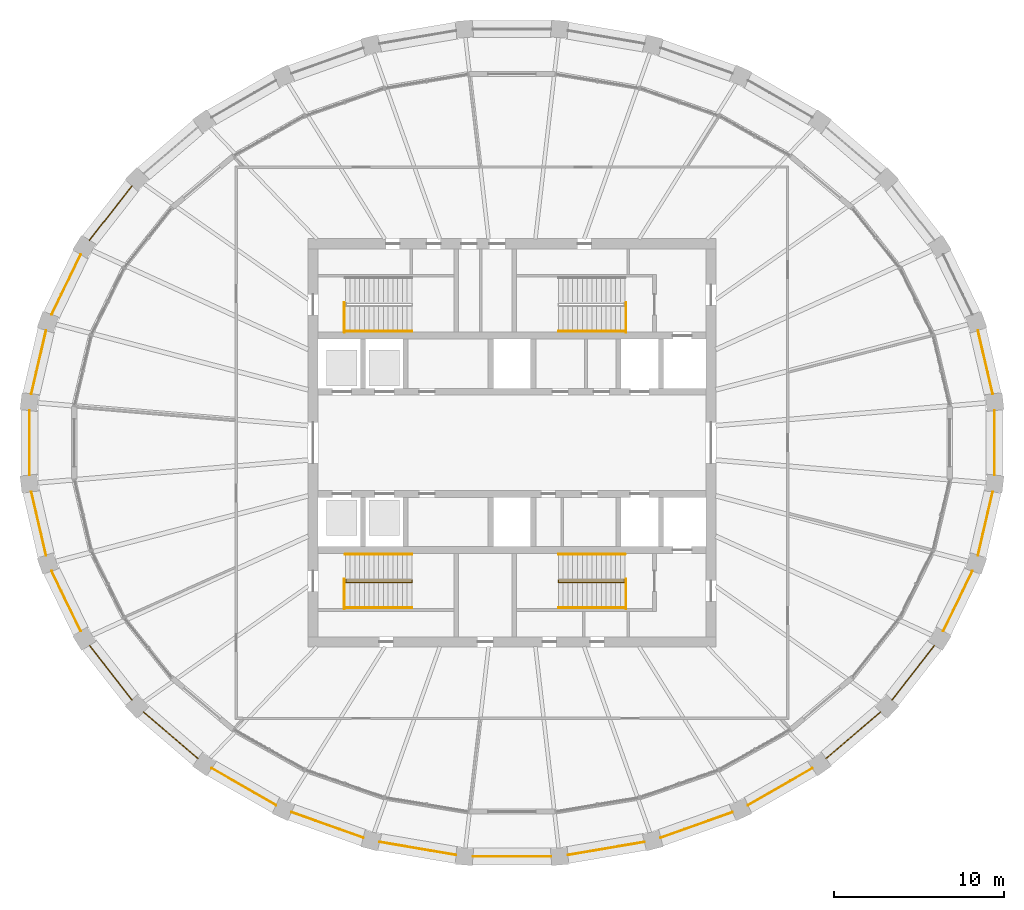
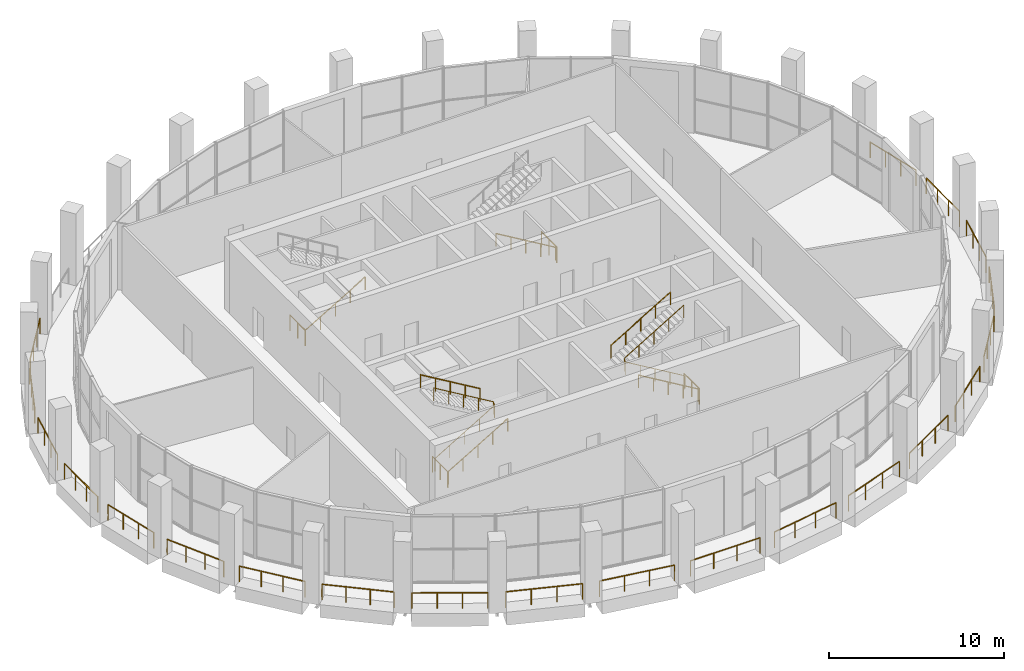
# One storey, part 14 of 16: 33 railings.
"""IFC4 building model written with IfcOpenShell, lengths in metres."""

from ifc_helpers import new_model, si_unit, direction, frame, origin, origin_2d, place, context, subcontext, project, spatial, circle, extrude, material, type_object, element, save


model = new_model("IFC4")

# Units and contexts
model_context = context("Model", 3, precision=1e-05, world=origin(), true_north=direction((0.0, 1.0)))
body_context = subcontext(model_context, "Body", "Model", "MODEL_VIEW")
ifc_project = project(units=[si_unit("LENGTHUNIT", "METRE"), si_unit("AREAUNIT", "SQUARE_METRE"), si_unit("VOLUMEUNIT", "CUBIC_METRE"), si_unit("PLANEANGLEUNIT", "RADIAN"), si_unit("MASSUNIT", "GRAM", prefix="KILO")], contexts=[model_context])

# Site, building, storey
site_placement = place(None, origin())
site = spatial("IfcSite", under=ifc_project, at=site_placement, CompositionType="ELEMENT")
building_placement = place(site_placement, origin())
building = spatial("IfcBuilding", under=site, at=building_placement, Name="Halqa Exchange Tower", CompositionType="ELEMENT")
storey_placement = place(building_placement, frame((0.0, 0.0, 333.300048828125)))
storey = spatial("IfcBuildingStorey", under=building, at=storey_placement, Name="L78", CompositionType="ELEMENT", Elevation=333.300048828125)

# Railings
ifc_material = material(Name="Stainless steel", Category="steel")
railing_type_1 = type_object("IfcRailingType", Name="Guard 1100 stainless steel", PredefinedType="GUARDRAIL", material=ifc_material)
railing_1_placement = place(storey_placement, frame((28.249755859375, 2.881591796875, 0.0)))
element("IfcRailing", 1, at=railing_1_placement, inside=storey, type_object=railing_type_1, Name="Loggia guard 1", PredefinedType="GUARDRAIL", context=body_context, shape_type="SweptSolid", body=[
    extrude(circle(Radius=0.02392578125, at=origin_2d()), frame((0.0, 0.0, 1.076171875), z_axis=(-0.226100478953, 0.97410398491, 0.0), x_axis=(-0.97410398491, -0.226100478953, 0.0)), (0.0, 0.0, 1.0), 3.8212890625),
    extrude(circle(Radius=0.02099609375, at=origin_2d()), origin(), (0.0, 0.0, 1.0), 1.052001953125),
    extrude(circle(Radius=0.02099609375, at=origin_2d()), frame((-0.2880859375, 1.24072265625, 0.0)), (0.0, 0.0, 1.0), 1.052001953125),
    extrude(circle(Radius=0.02099609375, at=origin_2d()), frame((-0.575927734375, 2.481689453125, 0.0)), (0.0, 0.0, 1.0), 1.052001953125),
    extrude(circle(Radius=0.02099609375, at=origin_2d()), frame((-0.864013671875, 3.722412109375, 0.0)), (0.0, 0.0, 1.0), 1.052001953125),
])
railing_2_placement = place(storey_placement, frame((-22.338134765625, 15.10302734375, 0.0)))
element("IfcRailing", 2, at=railing_2_placement, inside=storey, type_object=railing_type_1, Name="Loggia guard 13", PredefinedType="GUARDRAIL", context=body_context, shape_type="SweptSolid", body=[
    extrude(circle(Radius=0.02392578125, at=origin_2d()), frame((0.0, 0.0, 1.076171875), z_axis=(-0.614821078368, -0.788666622594, 0.0), x_axis=(0.788666622594, -0.614821078368, 0.0)), (0.0, 0.0, 1.0), 4.048828125),
    extrude(circle(Radius=0.02099609375, at=origin_2d()), origin(), (0.0, 0.0, 1.0), 1.052001953125),
    extrude(circle(Radius=0.02099609375, at=origin_2d()), frame((-0.829833984375, -1.064453125, 0.0)), (0.0, 0.0, 1.0), 1.052001953125),
    extrude(circle(Radius=0.02099609375, at=origin_2d()), frame((-1.659423828125, -2.128662109375, 0.0)), (0.0, 0.0, 1.0), 1.052001953125),
    extrude(circle(Radius=0.02099609375, at=origin_2d()), frame((-2.4892578125, -3.193115234375, 0.0)), (0.0, 0.0, 1.0), 1.052001953125),
])
railing_3_placement = place(storey_placement, frame((-25.352294921875, 11.0654296875, 0.0)))
element("IfcRailing", 3, at=railing_3_placement, inside=storey, type_object=railing_type_1, Name="Loggia guard 14", PredefinedType="GUARDRAIL", context=body_context, shape_type="SweptSolid", body=[
    extrude(circle(Radius=0.02392578125, at=origin_2d()), frame((0.0, 0.0, 1.076171875), z_axis=(-0.435146748862, -0.900359543158, 0.0), x_axis=(0.900359543158, -0.435146748862, 0.0)), (0.0, 0.0, 1.0), 3.913818359375),
    extrude(circle(Radius=0.02099609375, at=origin_2d()), origin(), (0.0, 0.0, 1.0), 1.052001953125),
    extrude(circle(Radius=0.02099609375, at=origin_2d()), frame((-0.567626953125, -1.174560546875, 0.0)), (0.0, 0.0, 1.0), 1.052001953125),
    extrude(circle(Radius=0.02099609375, at=origin_2d()), frame((-1.135498046875, -2.349365234375, 0.0)), (0.0, 0.0, 1.0), 1.052001953125),
    extrude(circle(Radius=0.02099609375, at=origin_2d()), frame((-1.703125, -3.52392578125, 0.0)), (0.0, 0.0, 1.0), 1.052001953125),
])
railing_4_placement = place(storey_placement, frame((-27.3857421875, 6.60400390625, 0.0)))
element("IfcRailing", 4, at=railing_4_placement, inside=storey, type_object=railing_type_1, Name="Loggia guard 15", PredefinedType="GUARDRAIL", context=body_context, shape_type="SweptSolid", body=[
    extrude(circle(Radius=0.02392578125, at=origin_2d()), frame((0.0, 0.0, 1.076171875), z_axis=(-0.226100478953, -0.97410398491, 0.0), x_axis=(0.97410398491, -0.226100478953, 0.0)), (0.0, 0.0, 1.0), 3.8212890625),
    extrude(circle(Radius=0.02099609375, at=origin_2d()), origin(), (0.0, 0.0, 1.0), 1.052001953125),
    extrude(circle(Radius=0.02099609375, at=origin_2d()), frame((-0.2880859375, -1.24072265625, 0.0)), (0.0, 0.0, 1.0), 1.052001953125),
    extrude(circle(Radius=0.02099609375, at=origin_2d()), frame((-0.575927734375, -2.481689453125, 0.0)), (0.0, 0.0, 1.0), 1.052001953125),
    extrude(circle(Radius=0.02099609375, at=origin_2d()), frame((-0.864013671875, -3.722412109375, 0.0)), (0.0, 0.0, 1.0), 1.052001953125),
])
railing_5_placement = place(storey_placement, frame((-28.36279296875, 1.894287109375, 0.0)))
element("IfcRailing", 5, at=railing_5_placement, inside=storey, type_object=railing_type_1, Name="Loggia guard 16", PredefinedType="GUARDRAIL", context=body_context, shape_type="SweptSolid", body=[
    extrude(circle(Radius=0.02392578125, at=origin_2d()), frame((0.0, 0.0, 1.076171875), z_axis=(0.0, -1.0, 0.0), x_axis=(1.0, 0.0, 0.0)), (0.0, 0.0, 1.0), 3.78857421875),
    extrude(circle(Radius=0.02099609375, at=origin_2d()), origin(), (0.0, 0.0, 1.0), 1.052001953125),
    extrude(circle(Radius=0.02099609375, at=origin_2d()), frame((0.0, -1.262939453125, 0.0)), (0.0, 0.0, 1.0), 1.052001953125),
    extrude(circle(Radius=0.02099609375, at=origin_2d()), frame((0.0, -2.525634765625, 0.0)), (0.0, 0.0, 1.0), 1.052001953125),
    extrude(circle(Radius=0.02099609375, at=origin_2d()), frame((0.0, -3.78857421875, 0.0)), (0.0, 0.0, 1.0), 1.052001953125),
])
railing_6_placement = place(storey_placement, frame((-28.249755859375, -2.881591796875, 0.0)))
element("IfcRailing", 6, at=railing_6_placement, inside=storey, type_object=railing_type_1, Name="Loggia guard 17", PredefinedType="GUARDRAIL", context=body_context, shape_type="SweptSolid", body=[
    extrude(circle(Radius=0.02392578125, at=origin_2d()), frame((0.0, 0.0, 1.076171875), z_axis=(0.226100478953, -0.97410398491, 0.0), x_axis=(0.97410398491, 0.226100478953, 0.0)), (0.0, 0.0, 1.0), 3.8212890625),
    extrude(circle(Radius=0.02099609375, at=origin_2d()), origin(), (0.0, 0.0, 1.0), 1.052001953125),
    extrude(circle(Radius=0.02099609375, at=origin_2d()), frame((0.2880859375, -1.24072265625, 0.0)), (0.0, 0.0, 1.0), 1.052001953125),
    extrude(circle(Radius=0.02099609375, at=origin_2d()), frame((0.575927734375, -2.481689453125, 0.0)), (0.0, 0.0, 1.0), 1.052001953125),
    extrude(circle(Radius=0.02099609375, at=origin_2d()), frame((0.864013671875, -3.722412109375, 0.0)), (0.0, 0.0, 1.0), 1.052001953125),
])
railing_7_placement = place(storey_placement, frame((-27.055419921875, -7.54150390625, 0.0)))
element("IfcRailing", 7, at=railing_7_placement, inside=storey, type_object=railing_type_1, Name="Loggia guard 18", PredefinedType="GUARDRAIL", context=body_context, shape_type="SweptSolid", body=[
    extrude(circle(Radius=0.02392578125, at=origin_2d()), frame((0.0, 0.0, 1.076171875), z_axis=(0.435146748862, -0.900359543158, 0.0), x_axis=(0.900359543158, 0.435146748862, 0.0)), (0.0, 0.0, 1.0), 3.913818359375),
    extrude(circle(Radius=0.02099609375, at=origin_2d()), origin(), (0.0, 0.0, 1.0), 1.052001953125),
    extrude(circle(Radius=0.02099609375, at=origin_2d()), frame((0.567626953125, -1.174560546875, 0.0)), (0.0, 0.0, 1.0), 1.052001953125),
    extrude(circle(Radius=0.02099609375, at=origin_2d()), frame((1.135498046875, -2.349365234375, 0.0)), (0.0, 0.0, 1.0), 1.052001953125),
    extrude(circle(Radius=0.02099609375, at=origin_2d()), frame((1.703125, -3.52392578125, 0.0)), (0.0, 0.0, 1.0), 1.052001953125),
])
railing_8_placement = place(storey_placement, frame((-24.827392578125, -11.909912109375, 0.0)))
element("IfcRailing", 8, at=railing_8_placement, inside=storey, type_object=railing_type_1, Name="Loggia guard 19", PredefinedType="GUARDRAIL", context=body_context, shape_type="SweptSolid", body=[
    extrude(circle(Radius=0.02392578125, at=origin_2d()), frame((0.0, 0.0, 1.076171875), z_axis=(0.614821078368, -0.788666622594, 0.0), x_axis=(0.788666622594, 0.614821078368, 0.0)), (0.0, 0.0, 1.0), 4.048828125),
    extrude(circle(Radius=0.02099609375, at=origin_2d()), origin(), (0.0, 0.0, 1.0), 1.052001953125),
    extrude(circle(Radius=0.02099609375, at=origin_2d()), frame((0.829833984375, -1.064453125, 0.0)), (0.0, 0.0, 1.0), 1.052001953125),
    extrude(circle(Radius=0.02099609375, at=origin_2d()), frame((1.659423828125, -2.128662109375, 0.0)), (0.0, 0.0, 1.0), 1.052001953125),
    extrude(circle(Radius=0.02099609375, at=origin_2d()), frame((2.4892578125, -3.193115234375, 0.0)), (0.0, 0.0, 1.0), 1.052001953125),
])
railing_9_placement = place(storey_placement, frame((-21.651123046875, -15.82275390625, 0.0)))
element("IfcRailing", 9, at=railing_9_placement, inside=storey, type_object=railing_type_1, Name="Loggia guard 20", PredefinedType="GUARDRAIL", context=body_context, shape_type="SweptSolid", body=[
    extrude(circle(Radius=0.02392578125, at=origin_2d()), frame((0.0, 0.0, 1.076171875), z_axis=(0.75927300229, -0.650772239723, 0.0), x_axis=(0.650772239723, 0.75927300229, 0.0)), (0.0, 0.0, 1.0), 4.203125),
    extrude(circle(Radius=0.02099609375, at=origin_2d()), origin(), (0.0, 0.0, 1.0), 1.052001953125),
    extrude(circle(Radius=0.02099609375, at=origin_2d()), frame((1.063720703125, -0.911865234375, 0.0)), (0.0, 0.0, 1.0), 1.052001953125),
    extrude(circle(Radius=0.02099609375, at=origin_2d()), frame((2.127685546875, -1.823486328125, 0.0)), (0.0, 0.0, 1.0), 1.052001953125),
    extrude(circle(Radius=0.02099609375, at=origin_2d()), frame((3.19140625, -2.7353515625, 0.0)), (0.0, 0.0, 1.0), 1.052001953125),
])
railing_10_placement = place(storey_placement, frame((-17.646240234375, -19.132080078125, 0.0)))
element("IfcRailing", 10, at=railing_10_placement, inside=storey, type_object=railing_type_1, Name="Loggia guard 21", PredefinedType="GUARDRAIL", context=body_context, shape_type="SweptSolid", body=[
    extrude(circle(Radius=0.02392578125, at=origin_2d()), frame((0.0, 0.0, 1.076171875), z_axis=(0.867752650497, -0.496996315434, 0.0), x_axis=(0.496996315434, 0.867752650497, 0.0)), (0.0, 0.0, 1.0), 4.353271484375),
    extrude(circle(Radius=0.02099609375, at=origin_2d()), origin(), (0.0, 0.0, 1.0), 1.052001953125),
    extrude(circle(Radius=0.02099609375, at=origin_2d()), frame((1.25927734375, -0.72119140625, 0.0)), (0.0, 0.0, 1.0), 1.052001953125),
    extrude(circle(Radius=0.02099609375, at=origin_2d()), frame((2.518310546875, -1.4423828125, 0.0)), (0.0, 0.0, 1.0), 1.052001953125),
    extrude(circle(Radius=0.02099609375, at=origin_2d()), frame((3.777587890625, -2.16357421875, 0.0)), (0.0, 0.0, 1.0), 1.052001953125),
])
railing_11_placement = place(storey_placement, frame((-12.963623046875, -21.71142578125, 0.0)))
element("IfcRailing", 11, at=railing_11_placement, inside=storey, type_object=railing_type_1, Name="Loggia guard 22", PredefinedType="GUARDRAIL", context=body_context, shape_type="SweptSolid", body=[
    extrude(circle(Radius=0.02392578125, at=origin_2d()), frame((0.0, 0.0, 1.076171875), z_axis=(0.942364531835, -0.334587939321, 0.0), x_axis=(0.334587939321, 0.942364531835, 0.0)), (0.0, 0.0, 1.0), 4.477294921875),
    extrude(circle(Radius=0.02099609375, at=origin_2d()), origin(), (0.0, 0.0, 1.0), 1.052001953125),
    extrude(circle(Radius=0.02099609375, at=origin_2d()), frame((1.406494140625, -0.499267578125, 0.0)), (0.0, 0.0, 1.0), 1.052001953125),
    extrude(circle(Radius=0.02099609375, at=origin_2d()), frame((2.812744140625, -0.998779296875, 0.0)), (0.0, 0.0, 1.0), 1.052001953125),
    extrude(circle(Radius=0.02099609375, at=origin_2d()), frame((4.21923828125, -1.498046875, 0.0)), (0.0, 0.0, 1.0), 1.052001953125),
])
railing_12_placement = place(storey_placement, frame((-7.7802734375, -23.460693359375, 0.0)))
element("IfcRailing", 12, at=railing_12_placement, inside=storey, type_object=railing_type_1, Name="Loggia guard 23", PredefinedType="GUARDRAIL", context=body_context, shape_type="SweptSolid", body=[
    extrude(circle(Radius=0.02392578125, at=origin_2d()), frame((0.0, 0.0, 1.076171875), z_axis=(0.985768911013, -0.168106079843, 0.0), x_axis=(0.168106079843, 0.985768911013, 0.0)), (0.0, 0.0, 1.0), 4.558837890625),
    extrude(circle(Radius=0.02099609375, at=origin_2d()), origin(), (0.0, 0.0, 1.0), 1.052001953125),
    extrude(circle(Radius=0.02099609375, at=origin_2d()), frame((1.498046875, -0.25537109375, 0.0)), (0.0, 0.0, 1.0), 1.052001953125),
    extrude(circle(Radius=0.02099609375, at=origin_2d()), frame((2.995849609375, -0.510986328125, 0.0)), (0.0, 0.0, 1.0), 1.052001953125),
    extrude(circle(Radius=0.02099609375, at=origin_2d()), frame((4.493896484375, -0.766357421875, 0.0)), (0.0, 0.0, 1.0), 1.052001953125),
])
railing_13_placement = place(storey_placement, frame((-2.29345703125, -24.31103515625, 0.0)))
element("IfcRailing", 13, at=railing_13_placement, inside=storey, type_object=railing_type_1, Name="Loggia guard 24", PredefinedType="GUARDRAIL", context=body_context, shape_type="SweptSolid", body=[
    extrude(circle(Radius=0.02392578125, at=origin_2d()), frame((0.0, 0.0, 1.076171875), z_axis=(1.0, 0.0, 0.0), x_axis=(0.0, 1.0, 0.0)), (0.0, 0.0, 1.0), 4.5869140625),
    extrude(circle(Radius=0.02099609375, at=origin_2d()), origin(), (0.0, 0.0, 1.0), 1.052001953125),
    extrude(circle(Radius=0.02099609375, at=origin_2d()), frame((1.529052734375, 0.0, 0.0)), (0.0, 0.0, 1.0), 1.052001953125),
    extrude(circle(Radius=0.02099609375, at=origin_2d()), frame((3.057861328125, 0.0, 0.0)), (0.0, 0.0, 1.0), 1.052001953125),
    extrude(circle(Radius=0.02099609375, at=origin_2d()), frame((4.5869140625, 0.0, 0.0)), (0.0, 0.0, 1.0), 1.052001953125),
])
railing_14_placement = place(storey_placement, frame((3.286376953125, -24.22705078125, 0.0)))
element("IfcRailing", 14, at=railing_14_placement, inside=storey, type_object=railing_type_1, Name="Loggia guard 25", PredefinedType="GUARDRAIL", context=body_context, shape_type="SweptSolid", body=[
    extrude(circle(Radius=0.02392578125, at=origin_2d()), frame((0.0, 0.0, 1.076171875), z_axis=(0.985768911013, 0.168106079843, 0.0), x_axis=(-0.168106079843, 0.985768911013, 0.0)), (0.0, 0.0, 1.0), 4.558837890625),
    extrude(circle(Radius=0.02099609375, at=origin_2d()), origin(), (0.0, 0.0, 1.0), 1.052001953125),
    extrude(circle(Radius=0.02099609375, at=origin_2d()), frame((1.498046875, 0.25537109375, 0.0)), (0.0, 0.0, 1.0), 1.052001953125),
    extrude(circle(Radius=0.02099609375, at=origin_2d()), frame((2.995849609375, 0.510986328125, 0.0)), (0.0, 0.0, 1.0), 1.052001953125),
    extrude(circle(Radius=0.02099609375, at=origin_2d()), frame((4.493896484375, 0.766357421875, 0.0)), (0.0, 0.0, 1.0), 1.052001953125),
])
railing_15_placement = place(storey_placement, frame((8.744384765625, -23.20947265625, 0.0)))
element("IfcRailing", 15, at=railing_15_placement, inside=storey, type_object=railing_type_1, Name="Loggia guard 26", PredefinedType="GUARDRAIL", context=body_context, shape_type="SweptSolid", body=[
    extrude(circle(Radius=0.02392578125, at=origin_2d()), frame((0.0, 0.0, 1.076171875), z_axis=(0.942364531835, 0.334587939321, 0.0), x_axis=(-0.334587939321, 0.942364531835, 0.0)), (0.0, 0.0, 1.0), 4.477294921875),
    extrude(circle(Radius=0.02099609375, at=origin_2d()), origin(), (0.0, 0.0, 1.0), 1.052001953125),
    extrude(circle(Radius=0.02099609375, at=origin_2d()), frame((1.406494140625, 0.499267578125, 0.0)), (0.0, 0.0, 1.0), 1.052001953125),
    extrude(circle(Radius=0.02099609375, at=origin_2d()), frame((2.812744140625, 0.998779296875, 0.0)), (0.0, 0.0, 1.0), 1.052001953125),
    extrude(circle(Radius=0.02099609375, at=origin_2d()), frame((4.21923828125, 1.498046875, 0.0)), (0.0, 0.0, 1.0), 1.052001953125),
])
railing_16_placement = place(storey_placement, frame((13.86865234375, -21.295654296875, 0.0)))
element("IfcRailing", 16, at=railing_16_placement, inside=storey, type_object=railing_type_1, Name="Loggia guard 27", PredefinedType="GUARDRAIL", context=body_context, shape_type="SweptSolid", body=[
    extrude(circle(Radius=0.02392578125, at=origin_2d()), frame((0.0, 0.0, 1.076171875), z_axis=(0.867752650497, 0.496996315434, 0.0), x_axis=(-0.496996315434, 0.867752650497, 0.0)), (0.0, 0.0, 1.0), 4.353271484375),
    extrude(circle(Radius=0.02099609375, at=origin_2d()), origin(), (0.0, 0.0, 1.0), 1.052001953125),
    extrude(circle(Radius=0.02099609375, at=origin_2d()), frame((1.25927734375, 0.72119140625, 0.0)), (0.0, 0.0, 1.0), 1.052001953125),
    extrude(circle(Radius=0.02099609375, at=origin_2d()), frame((2.518310546875, 1.4423828125, 0.0)), (0.0, 0.0, 1.0), 1.052001953125),
    extrude(circle(Radius=0.02099609375, at=origin_2d()), frame((3.777587890625, 2.16357421875, 0.0)), (0.0, 0.0, 1.0), 1.052001953125),
])
railing_17_placement = place(storey_placement, frame((18.459716796875, -18.55810546875, 0.0)))
element("IfcRailing", 17, at=railing_17_placement, inside=storey, type_object=railing_type_1, Name="Loggia guard 28", PredefinedType="GUARDRAIL", context=body_context, shape_type="SweptSolid", body=[
    extrude(circle(Radius=0.02392578125, at=origin_2d()), frame((0.0, 0.0, 1.076171875), z_axis=(0.75927300229, 0.650772239723, 0.0), x_axis=(-0.650772239723, 0.75927300229, 0.0)), (0.0, 0.0, 1.0), 4.203125),
    extrude(circle(Radius=0.02099609375, at=origin_2d()), origin(), (0.0, 0.0, 1.0), 1.052001953125),
    extrude(circle(Radius=0.02099609375, at=origin_2d()), frame((1.063720703125, 0.911865234375, 0.0)), (0.0, 0.0, 1.0), 1.052001953125),
    extrude(circle(Radius=0.02099609375, at=origin_2d()), frame((2.127685546875, 1.823486328125, 0.0)), (0.0, 0.0, 1.0), 1.052001953125),
    extrude(circle(Radius=0.02099609375, at=origin_2d()), frame((3.19140625, 2.7353515625, 0.0)), (0.0, 0.0, 1.0), 1.052001953125),
])
railing_18_placement = place(storey_placement, frame((22.338134765625, -15.10302734375, 0.0)))
element("IfcRailing", 18, at=railing_18_placement, inside=storey, type_object=railing_type_1, Name="Loggia guard 29", PredefinedType="GUARDRAIL", context=body_context, shape_type="SweptSolid", body=[
    extrude(circle(Radius=0.02392578125, at=origin_2d()), frame((0.0, 0.0, 1.076171875), z_axis=(0.614821078368, 0.788666622594, 0.0), x_axis=(-0.788666622594, 0.614821078368, 0.0)), (0.0, 0.0, 1.0), 4.048828125),
    extrude(circle(Radius=0.02099609375, at=origin_2d()), origin(), (0.0, 0.0, 1.0), 1.052001953125),
    extrude(circle(Radius=0.02099609375, at=origin_2d()), frame((0.829833984375, 1.064453125, 0.0)), (0.0, 0.0, 1.0), 1.052001953125),
    extrude(circle(Radius=0.02099609375, at=origin_2d()), frame((1.659423828125, 2.128662109375, 0.0)), (0.0, 0.0, 1.0), 1.052001953125),
    extrude(circle(Radius=0.02099609375, at=origin_2d()), frame((2.4892578125, 3.193115234375, 0.0)), (0.0, 0.0, 1.0), 1.052001953125),
])
railing_19_placement = place(storey_placement, frame((25.352294921875, -11.0654296875, 0.0)))
element("IfcRailing", 19, at=railing_19_placement, inside=storey, type_object=railing_type_1, Name="Loggia guard 30", PredefinedType="GUARDRAIL", context=body_context, shape_type="SweptSolid", body=[
    extrude(circle(Radius=0.02392578125, at=origin_2d()), frame((0.0, 0.0, 1.076171875), z_axis=(0.435146748862, 0.900359543158, 0.0), x_axis=(-0.900359543158, 0.435146748862, 0.0)), (0.0, 0.0, 1.0), 3.913818359375),
    extrude(circle(Radius=0.02099609375, at=origin_2d()), origin(), (0.0, 0.0, 1.0), 1.052001953125),
    extrude(circle(Radius=0.02099609375, at=origin_2d()), frame((0.567626953125, 1.174560546875, 0.0)), (0.0, 0.0, 1.0), 1.052001953125),
    extrude(circle(Radius=0.02099609375, at=origin_2d()), frame((1.135498046875, 2.349365234375, 0.0)), (0.0, 0.0, 1.0), 1.052001953125),
    extrude(circle(Radius=0.02099609375, at=origin_2d()), frame((1.703125, 3.52392578125, 0.0)), (0.0, 0.0, 1.0), 1.052001953125),
])
railing_20_placement = place(storey_placement, frame((27.3857421875, -6.60400390625, 0.0)))
element("IfcRailing", 20, at=railing_20_placement, inside=storey, type_object=railing_type_1, Name="Loggia guard 31", PredefinedType="GUARDRAIL", context=body_context, shape_type="SweptSolid", body=[
    extrude(circle(Radius=0.02392578125, at=origin_2d()), frame((0.0, 0.0, 1.076171875), z_axis=(0.226100478953, 0.97410398491, 0.0), x_axis=(-0.97410398491, 0.226100478953, 0.0)), (0.0, 0.0, 1.0), 3.8212890625),
    extrude(circle(Radius=0.02099609375, at=origin_2d()), origin(), (0.0, 0.0, 1.0), 1.052001953125),
    extrude(circle(Radius=0.02099609375, at=origin_2d()), frame((0.2880859375, 1.24072265625, 0.0)), (0.0, 0.0, 1.0), 1.052001953125),
    extrude(circle(Radius=0.02099609375, at=origin_2d()), frame((0.575927734375, 2.481689453125, 0.0)), (0.0, 0.0, 1.0), 1.052001953125),
    extrude(circle(Radius=0.02099609375, at=origin_2d()), frame((0.864013671875, 3.722412109375, 0.0)), (0.0, 0.0, 1.0), 1.052001953125),
])
railing_21_placement = place(storey_placement, frame((28.36279296875, -1.894287109375, 0.0)))
element("IfcRailing", 21, at=railing_21_placement, inside=storey, type_object=railing_type_1, Name="Loggia guard 32", PredefinedType="GUARDRAIL", context=body_context, shape_type="SweptSolid", body=[
    extrude(circle(Radius=0.02392578125, at=origin_2d()), frame((0.0, 0.0, 1.076171875), z_axis=(0.0, 1.0, 0.0), x_axis=(-1.0, 0.0, 0.0)), (0.0, 0.0, 1.0), 3.78857421875),
    extrude(circle(Radius=0.02099609375, at=origin_2d()), origin(), (0.0, 0.0, 1.0), 1.052001953125),
    extrude(circle(Radius=0.02099609375, at=origin_2d()), frame((0.0, 1.262939453125, 0.0)), (0.0, 0.0, 1.0), 1.052001953125),
    extrude(circle(Radius=0.02099609375, at=origin_2d()), frame((0.0, 2.525634765625, 0.0)), (0.0, 0.0, 1.0), 1.052001953125),
    extrude(circle(Radius=0.02099609375, at=origin_2d()), frame((0.0, 3.78857421875, 0.0)), (0.0, 0.0, 1.0), 1.052001953125),
])
railing_type_2 = type_object("IfcRailingType", Name="Stair handrail 900", PredefinedType="HANDRAIL", material=ifc_material)
railing_22_placement = place(storey_placement, frame((-9.800048828125, 6.550048828125, 0.166748046875)))
element("IfcRailing", 22, at=railing_22_placement, inside=storey, type_object=railing_type_2, Name="Handrail ST1.2", PredefinedType="HANDRAIL", context=body_context, shape_type="SweptSolid", body=[
    extrude(circle(Radius=0.02392578125, at=origin_2d()), frame((0.0, 0.0, 0.8759765625), z_axis=(0.859310244771, 0.0, 0.511454693235), x_axis=(0.0, 1.0, 0.0)), (0.0, 0.0, 1.0), 4.56201171875),
    extrude(circle(Radius=0.02099609375, at=origin_2d()), origin(), (0.0, 0.0, 1.0), 0.851806640625),
    extrude(circle(Radius=0.02099609375, at=origin_2d()), frame((0.97998046875, 0.0, 0.583251953125)), (0.0, 0.0, 1.0), 0.851806640625),
    extrude(circle(Radius=0.02099609375, at=origin_2d()), frame((1.9599609375, 0.0, 1.16650390625)), (0.0, 0.0, 1.0), 0.851806640625),
    extrude(circle(Radius=0.02099609375, at=origin_2d()), frame((2.940185546875, 0.0, 1.75)), (0.0, 0.0, 1.0), 0.851806640625),
    extrude(circle(Radius=0.02099609375, at=origin_2d()), frame((3.920166015625, 0.0, 2.333251953125)), (0.0, 0.0, 1.0), 0.851806640625),
])
railing_23_placement = place(storey_placement, frame((6.64990234375, 6.550048828125, 0.166748046875)))
element("IfcRailing", 23, at=railing_23_placement, inside=storey, type_object=railing_type_2, Name="Handrail ST2.2", PredefinedType="HANDRAIL", context=body_context, shape_type="SweptSolid", body=[
    extrude(circle(Radius=0.02392578125, at=origin_2d()), frame((0.0, 0.0, 0.8759765625), z_axis=(-0.859296244711, 0.0, 0.511478214419), x_axis=(0.0, -1.0, 0.0)), (0.0, 0.0, 1.0), 4.561767578125),
    extrude(circle(Radius=0.02099609375, at=origin_2d()), origin(), (0.0, 0.0, 1.0), 0.851806640625),
    extrude(circle(Radius=0.02099609375, at=origin_2d()), frame((-0.97998046875, 0.0, 0.583251953125)), (0.0, 0.0, 1.0), 0.851806640625),
    extrude(circle(Radius=0.02099609375, at=origin_2d()), frame((-1.9599609375, 0.0, 1.16650390625)), (0.0, 0.0, 1.0), 0.851806640625),
    extrude(circle(Radius=0.02099609375, at=origin_2d()), frame((-2.93994140625, 0.0, 1.75)), (0.0, 0.0, 1.0), 0.851806640625),
    extrude(circle(Radius=0.02099609375, at=origin_2d()), frame((-3.919921875, 0.0, 2.333251953125)), (0.0, 0.0, 1.0), 0.851806640625),
])
railing_24_placement = place(storey_placement, frame((-9.800048828125, -8.18994140625, 0.166748046875)))
element("IfcRailing", 24, at=railing_24_placement, inside=storey, type_object=railing_type_2, Name="Handrail ST3.1", PredefinedType="HANDRAIL", context=body_context, shape_type="SweptSolid", body=[
    extrude(circle(Radius=0.02392578125, at=origin_2d()), frame((0.0, 0.0, 0.8759765625), z_axis=(0.859310244771, 0.0, 0.511454693235), x_axis=(0.0, 1.0, 0.0)), (0.0, 0.0, 1.0), 4.56201171875),
    extrude(circle(Radius=0.02392578125, at=origin_2d()), frame((3.920166015625, 0.0, 3.208984375), z_axis=(0.0, 0.614500226555, 0.788916644243), x_axis=(-1.0, 0.0, 0.0)), (0.0, 0.0, 1.0), 0.21142578125),
    extrude(circle(Radius=0.02392578125, at=origin_2d()), frame((3.920166015625, 0.1298828125, 3.3759765625), z_axis=(-0.859310244771, 0.0, 0.511454693235), x_axis=(0.0, -1.0, 0.0)), (0.0, 0.0, 1.0), 4.56201171875),
    extrude(circle(Radius=0.02099609375, at=origin_2d()), origin(), (0.0, 0.0, 1.0), 0.851806640625),
    extrude(circle(Radius=0.02099609375, at=origin_2d()), frame((0.97998046875, 0.0, 0.583251953125)), (0.0, 0.0, 1.0), 0.851806640625),
    extrude(circle(Radius=0.02099609375, at=origin_2d()), frame((1.9599609375, 0.0, 1.16650390625)), (0.0, 0.0, 1.0), 0.851806640625),
    extrude(circle(Radius=0.02099609375, at=origin_2d()), frame((2.940185546875, 0.0, 1.75)), (0.0, 0.0, 1.0), 0.851806640625),
    extrude(circle(Radius=0.02099609375, at=origin_2d()), frame((3.920166015625, 0.0, 2.333251953125)), (0.0, 0.0, 1.0), 0.851806640625),
    extrude(circle(Radius=0.02099609375, at=origin_2d()), frame((3.920166015625, 0.1298828125, 2.5)), (0.0, 0.0, 1.0), 0.851806640625),
    extrude(circle(Radius=0.02099609375, at=origin_2d()), frame((2.940185546875, 0.1298828125, 3.083251953125)), (0.0, 0.0, 1.0), 0.851806640625),
    extrude(circle(Radius=0.02099609375, at=origin_2d()), frame((1.9599609375, 0.1298828125, 3.66650390625)), (0.0, 0.0, 1.0), 0.851806640625),
    extrude(circle(Radius=0.02099609375, at=origin_2d()), frame((0.97998046875, 0.1298828125, 4.25)), (0.0, 0.0, 1.0), 0.851806640625),
    extrude(circle(Radius=0.02099609375, at=origin_2d()), frame((0.0, 0.1298828125, 4.833251953125)), (0.0, 0.0, 1.0), 0.851806640625),
])
railing_25_placement = place(storey_placement, frame((-9.800048828125, -9.699951171875, 0.166748046875)))
element("IfcRailing", 25, at=railing_25_placement, inside=storey, type_object=railing_type_2, Name="Handrail ST3.2", PredefinedType="HANDRAIL", context=body_context, shape_type="SweptSolid", body=[
    extrude(circle(Radius=0.02392578125, at=origin_2d()), frame((0.0, 0.0, 0.8759765625), z_axis=(0.859310244771, 0.0, 0.511454693235), x_axis=(0.0, 1.0, 0.0)), (0.0, 0.0, 1.0), 4.56201171875),
    extrude(circle(Radius=0.02099609375, at=origin_2d()), origin(), (0.0, 0.0, 1.0), 0.851806640625),
    extrude(circle(Radius=0.02099609375, at=origin_2d()), frame((0.97998046875, 0.0, 0.583251953125)), (0.0, 0.0, 1.0), 0.851806640625),
    extrude(circle(Radius=0.02099609375, at=origin_2d()), frame((1.9599609375, 0.0, 1.16650390625)), (0.0, 0.0, 1.0), 0.851806640625),
    extrude(circle(Radius=0.02099609375, at=origin_2d()), frame((2.940185546875, 0.0, 1.75)), (0.0, 0.0, 1.0), 0.851806640625),
    extrude(circle(Radius=0.02099609375, at=origin_2d()), frame((3.920166015625, 0.0, 2.333251953125)), (0.0, 0.0, 1.0), 0.851806640625),
])
railing_26_placement = place(storey_placement, frame((-5.8798828125, -6.550048828125, 2.666748046875)))
element("IfcRailing", 26, at=railing_26_placement, inside=storey, type_object=railing_type_2, Name="Handrail ST3.3", PredefinedType="HANDRAIL", context=body_context, shape_type="SweptSolid", body=[
    extrude(circle(Radius=0.02392578125, at=origin_2d()), frame((0.0, 0.0, 0.8759765625), z_axis=(-0.859310244771, 0.0, 0.511454693235), x_axis=(0.0, -1.0, 0.0)), (0.0, 0.0, 1.0), 4.56201171875),
    extrude(circle(Radius=0.02099609375, at=origin_2d()), origin(), (0.0, 0.0, 1.0), 0.851806640625),
    extrude(circle(Radius=0.02099609375, at=origin_2d()), frame((-0.97998046875, 0.0, 0.583251953125)), (0.0, 0.0, 1.0), 0.851806640625),
    extrude(circle(Radius=0.02099609375, at=origin_2d()), frame((-1.9599609375, 0.0, 1.16650390625)), (0.0, 0.0, 1.0), 0.851806640625),
    extrude(circle(Radius=0.02099609375, at=origin_2d()), frame((-2.940185546875, 0.0, 1.75)), (0.0, 0.0, 1.0), 0.851806640625),
    extrude(circle(Radius=0.02099609375, at=origin_2d()), frame((-3.920166015625, 0.0, 2.333251953125)), (0.0, 0.0, 1.0), 0.851806640625),
])
railing_27_placement = place(storey_placement, frame((6.64990234375, -8.18994140625, 0.166748046875)))
element("IfcRailing", 27, at=railing_27_placement, inside=storey, type_object=railing_type_2, Name="Handrail ST4.1", PredefinedType="HANDRAIL", context=body_context, shape_type="SweptSolid", body=[
    extrude(circle(Radius=0.02392578125, at=origin_2d()), frame((0.0, 0.0, 0.8759765625), z_axis=(-0.859296244711, 0.0, 0.511478214419), x_axis=(0.0, -1.0, 0.0)), (0.0, 0.0, 1.0), 4.561767578125),
    extrude(circle(Radius=0.02392578125, at=origin_2d()), frame((-3.919921875, 0.0, 3.208984375), z_axis=(0.0, 0.614500226555, 0.788916644243), x_axis=(-1.0, 0.0, 0.0)), (0.0, 0.0, 1.0), 0.21142578125),
    extrude(circle(Radius=0.02392578125, at=origin_2d()), frame((-3.919921875, 0.1298828125, 3.3759765625), z_axis=(0.859296244711, 0.0, 0.511478214419), x_axis=(0.0, 1.0, 0.0)), (0.0, 0.0, 1.0), 4.561767578125),
    extrude(circle(Radius=0.02099609375, at=origin_2d()), origin(), (0.0, 0.0, 1.0), 0.851806640625),
    extrude(circle(Radius=0.02099609375, at=origin_2d()), frame((-0.97998046875, 0.0, 0.583251953125)), (0.0, 0.0, 1.0), 0.851806640625),
    extrude(circle(Radius=0.02099609375, at=origin_2d()), frame((-1.9599609375, 0.0, 1.16650390625)), (0.0, 0.0, 1.0), 0.851806640625),
    extrude(circle(Radius=0.02099609375, at=origin_2d()), frame((-2.93994140625, 0.0, 1.75)), (0.0, 0.0, 1.0), 0.851806640625),
    extrude(circle(Radius=0.02099609375, at=origin_2d()), frame((-3.919921875, 0.0, 2.333251953125)), (0.0, 0.0, 1.0), 0.851806640625),
    extrude(circle(Radius=0.02099609375, at=origin_2d()), frame((-3.919921875, 0.1298828125, 2.5)), (0.0, 0.0, 1.0), 0.851806640625),
    extrude(circle(Radius=0.02099609375, at=origin_2d()), frame((-2.93994140625, 0.1298828125, 3.083251953125)), (0.0, 0.0, 1.0), 0.851806640625),
    extrude(circle(Radius=0.02099609375, at=origin_2d()), frame((-1.9599609375, 0.1298828125, 3.66650390625)), (0.0, 0.0, 1.0), 0.851806640625),
    extrude(circle(Radius=0.02099609375, at=origin_2d()), frame((-0.97998046875, 0.1298828125, 4.25)), (0.0, 0.0, 1.0), 0.851806640625),
    extrude(circle(Radius=0.02099609375, at=origin_2d()), frame((0.0, 0.1298828125, 4.833251953125)), (0.0, 0.0, 1.0), 0.851806640625),
])
railing_28_placement = place(storey_placement, frame((6.64990234375, -9.699951171875, 0.166748046875)))
element("IfcRailing", 28, at=railing_28_placement, inside=storey, type_object=railing_type_2, Name="Handrail ST4.2", PredefinedType="HANDRAIL", context=body_context, shape_type="SweptSolid", body=[
    extrude(circle(Radius=0.02392578125, at=origin_2d()), frame((0.0, 0.0, 0.8759765625), z_axis=(-0.859296244711, 0.0, 0.511478214419), x_axis=(0.0, -1.0, 0.0)), (0.0, 0.0, 1.0), 4.561767578125),
    extrude(circle(Radius=0.02099609375, at=origin_2d()), origin(), (0.0, 0.0, 1.0), 0.851806640625),
    extrude(circle(Radius=0.02099609375, at=origin_2d()), frame((-0.97998046875, 0.0, 0.583251953125)), (0.0, 0.0, 1.0), 0.851806640625),
    extrude(circle(Radius=0.02099609375, at=origin_2d()), frame((-1.9599609375, 0.0, 1.16650390625)), (0.0, 0.0, 1.0), 0.851806640625),
    extrude(circle(Radius=0.02099609375, at=origin_2d()), frame((-2.93994140625, 0.0, 1.75)), (0.0, 0.0, 1.0), 0.851806640625),
    extrude(circle(Radius=0.02099609375, at=origin_2d()), frame((-3.919921875, 0.0, 2.333251953125)), (0.0, 0.0, 1.0), 0.851806640625),
])
railing_29_placement = place(storey_placement, frame((2.72998046875, -6.550048828125, 2.666748046875)))
element("IfcRailing", 29, at=railing_29_placement, inside=storey, type_object=railing_type_2, Name="Handrail ST4.3", PredefinedType="HANDRAIL", context=body_context, shape_type="SweptSolid", body=[
    extrude(circle(Radius=0.02392578125, at=origin_2d()), frame((0.0, 0.0, 0.8759765625), z_axis=(0.859296244711, 0.0, 0.511478214419), x_axis=(0.0, 1.0, 0.0)), (0.0, 0.0, 1.0), 4.561767578125),
    extrude(circle(Radius=0.02099609375, at=origin_2d()), origin(), (0.0, 0.0, 1.0), 0.851806640625),
    extrude(circle(Radius=0.02099609375, at=origin_2d()), frame((0.97998046875, 0.0, 0.583251953125)), (0.0, 0.0, 1.0), 0.851806640625),
    extrude(circle(Radius=0.02099609375, at=origin_2d()), frame((1.9599609375, 0.0, 1.16650390625)), (0.0, 0.0, 1.0), 0.851806640625),
    extrude(circle(Radius=0.02099609375, at=origin_2d()), frame((2.93994140625, 0.0, 1.75)), (0.0, 0.0, 1.0), 0.851806640625),
    extrude(circle(Radius=0.02099609375, at=origin_2d()), frame((3.919921875, 0.0, 2.333251953125)), (0.0, 0.0, 1.0), 0.851806640625),
])
railing_type_3 = type_object("IfcRailingType", Name="Stair well guard 1100", PredefinedType="GUARDRAIL", material=ifc_material)
for number, where, name in (
    (30, (-9.85009765625, 6.5, 0.0), "Guard ST1 well"),
    (31, (6.699951171875, 6.5, 0.0), "Guard ST2 well"),
    (32, (-9.85009765625, -9.75, 0.0), "Guard ST3 well"),
    (33, (6.699951171875, -9.75, 0.0), "Guard ST4 well"),
):
    element("IfcRailing", number, at=place(storey_placement, frame(where)), inside=storey, type_object=railing_type_3, Name=name, PredefinedType="GUARDRAIL", context=body_context, shape_type="SweptSolid", body=[
        extrude(circle(Radius=0.02392578125, at=origin_2d()), frame((0.0, 0.0, 1.076171875), z_axis=(0.0, 1.0, 0.0), x_axis=(-1.0, 0.0, 0.0)), (0.0, 0.0, 1.0), 1.75),
        extrude(circle(Radius=0.02099609375, at=origin_2d()), origin(), (0.0, 0.0, 1.0), 1.052001953125),
        extrude(circle(Radius=0.02099609375, at=origin_2d()), frame((0.0, 0.875, 0.0)), (0.0, 0.0, 1.0), 1.052001953125),
        extrude(circle(Radius=0.02099609375, at=origin_2d()), frame((0.0, 1.75, 0.0)), (0.0, 0.0, 1.0), 1.052001953125),
    ])

save(model, "model.ifc")
